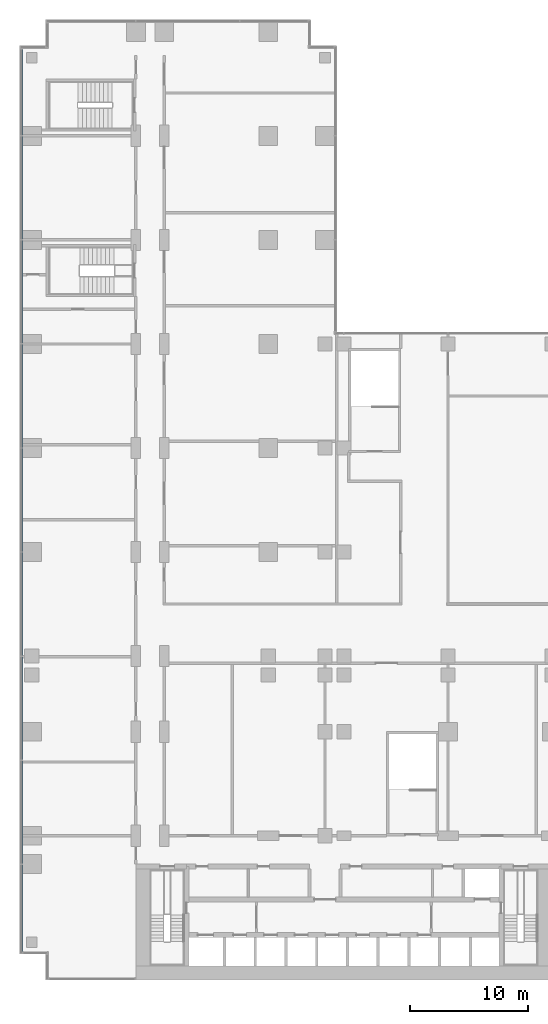
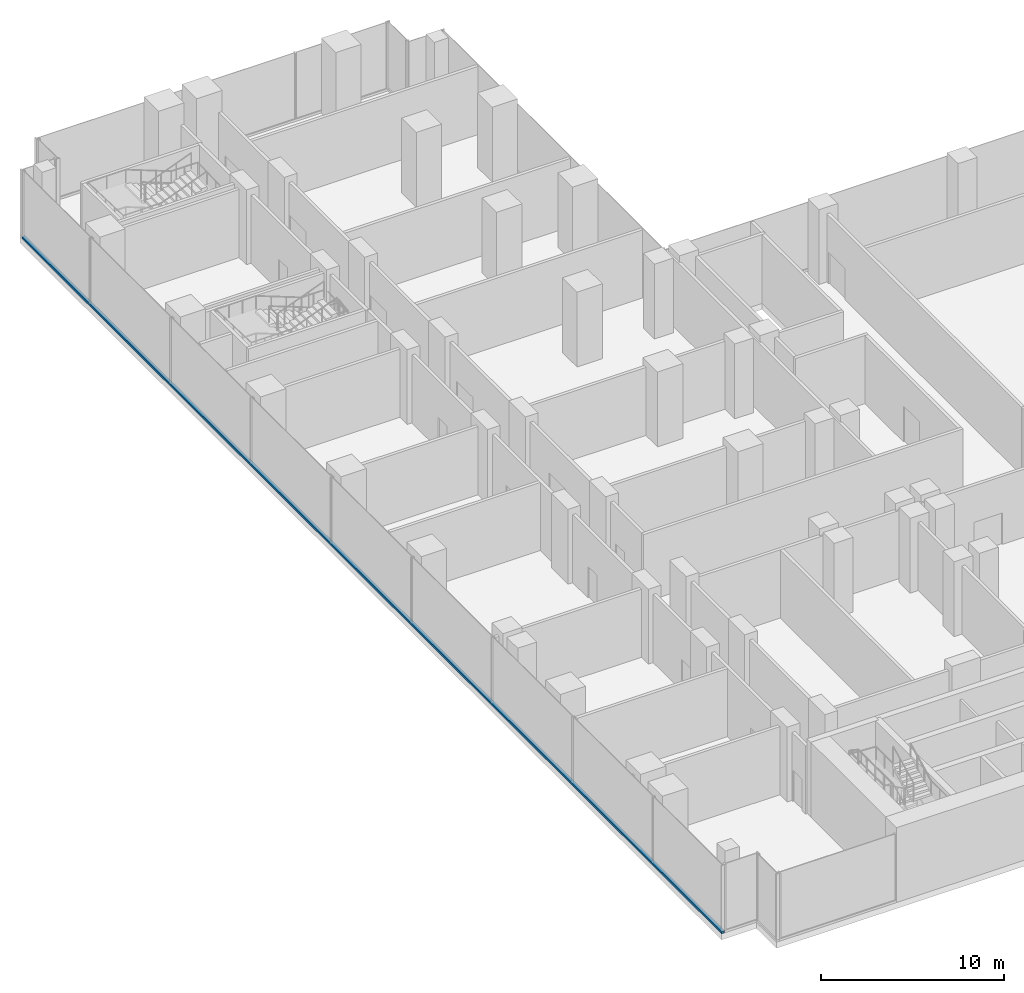
# One storey, part 6 of 27: 1 member, 1 element without a shape of its own.
"""IFC4 building model written with IfcOpenShell, lengths in metres."""

from ifc_helpers import new_model, si_unit, direction, frame, origin, origin_2d, place, context, subcontext, project, spatial, rectangle, extrude, material, material_profile, profile_set, type_object, element, aggregate, save


model = new_model("IFC4")

# Units and contexts
model_context = context("Model", 3, precision=1e-05, world=origin(), true_north=direction((0.0, 1.0)))
body_context = subcontext(model_context, "Body", "Model", "MODEL_VIEW")
ifc_project = project(units=[si_unit("LENGTHUNIT", "METRE"), si_unit("AREAUNIT", "SQUARE_METRE"), si_unit("VOLUMEUNIT", "CUBIC_METRE"), si_unit("PLANEANGLEUNIT", "RADIAN"), si_unit("MASSUNIT", "GRAM", prefix="KILO")], contexts=[model_context])

# Site, building, storey
site_placement = place(None, origin())
site = spatial("IfcSite", under=ifc_project, at=site_placement, CompositionType="ELEMENT")
building_placement = place(site_placement, origin())
building = spatial("IfcBuilding", under=site, at=building_placement, Name="Kemantara Hotel Tower", CompositionType="ELEMENT")
storey_placement = place(building_placement, frame((0.0, 0.0, 29.0)))
storey = spatial("IfcBuildingStorey", under=building, at=storey_placement, Name="L05", CompositionType="ELEMENT", Elevation=29.0)

# Curtain wall, member
ifc_material_1 = material(Name="Laminated tinted insulated glass 44 mm", Category="glass")
curtain_wall_type = type_object("IfcCurtainWallType", Name="PODIUM GLASS CURTAIN WALL", PredefinedType="USERDEFINED", material=ifc_material_1)
curtain_wall_placement = place(storey_placement, origin())
curtain_wall = element("IfcCurtainWall", 1, at=curtain_wall_placement, inside=storey, type_object=curtain_wall_type, Name="CW1 L05 POD-R16-1", ObjectType="PODIUM GLASS CURTAIN WALL", PredefinedType="USERDEFINED")
ifc_material_2 = material(Name="Aluminium 6063-T6 bronze anodised", Category="aluminium")
ifc_material_profile = material_profile(ifc_material_2, rectangle(XDim=0.199951171875, YDim=0.14990234375, at=origin_2d()), Name="PODIUM GLASS CURTAIN WALL TRANSOM")
ifc_profile_set = profile_set([ifc_material_profile], Name="Aluminium 6063-T6 bronze anodised")
member_type = type_object("IfcMemberType", Name="PODIUM GLASS CURTAIN WALL TRANSOM", PredefinedType="USERDEFINED", material=ifc_profile_set)
member_placement = place(storey_placement, frame((0.10009765625, 78.800048828125, 0.074951171875), z_axis=(0.0, -1.0, 0.0), x_axis=(1.0, 0.0, 0.0)))
member = element("IfcMember", 2, at=member_placement, type_object=member_type, Name="CW1 sill transom POD-R16-1", ObjectType="TRANSOM", PredefinedType="USERDEFINED", context=body_context, shape_type="SweptSolid", body=[
    extrude(rectangle(XDim=0.199951171875, YDim=0.14990234375, at=origin_2d()), origin(), (0.0, 0.0, 1.0), 76.60009765625),
])
aggregate(curtain_wall, [member])

save(model, "model.ifc")
